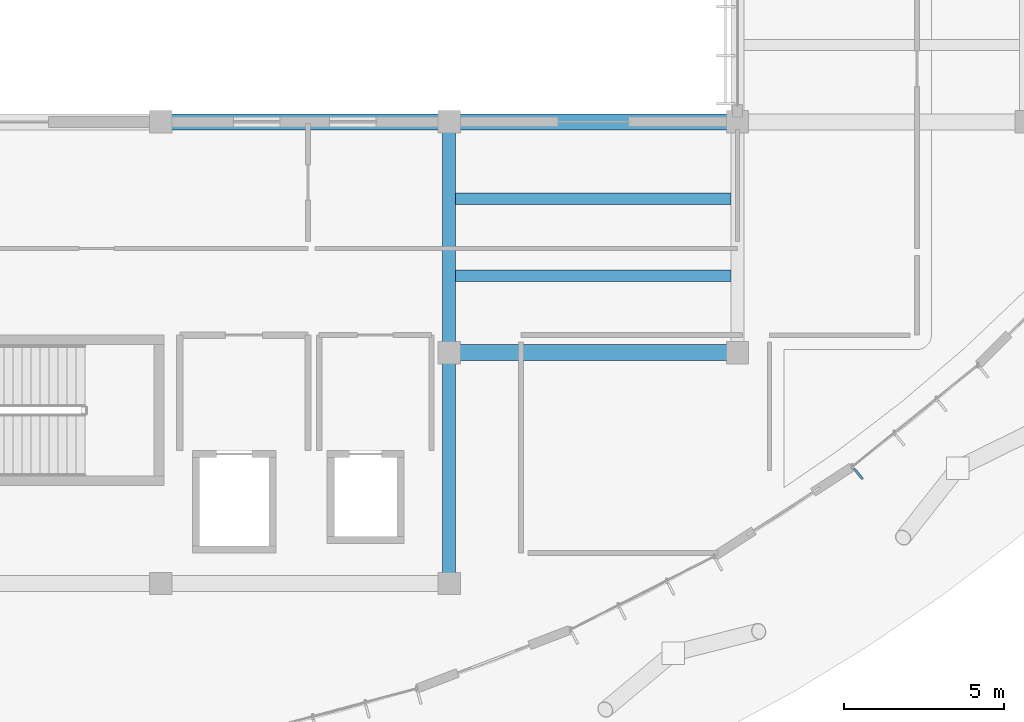
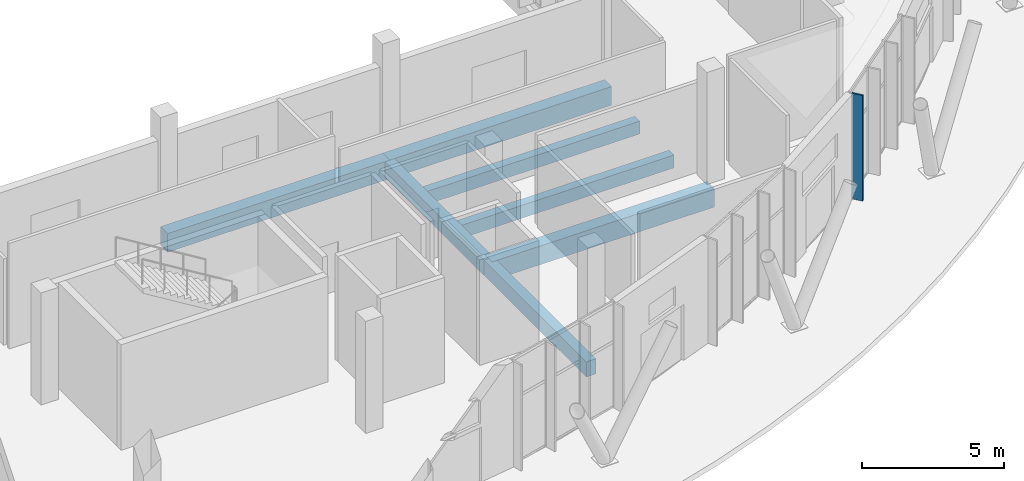
# One storey, part 70 of 151: 7 beams, 1 member, 1 element without a shape of its own.
"""IFC4 building model written with IfcOpenShell, lengths in metres."""

from ifc_helpers import new_model, si_unit, direction, frame, origin, origin_2d, place, context, subcontext, project, spatial, rectangle, extrude, material, material_profile, profile_set, type_object, element, aggregate, save


model = new_model("IFC4")

# Units and contexts
model_context = context("Model", 3, precision=1e-05, world=origin(), true_north=direction((0.0, 1.0)))
body_context = subcontext(model_context, "Body", "Model", "MODEL_VIEW")
ifc_project = project(units=[si_unit("LENGTHUNIT", "METRE"), si_unit("AREAUNIT", "SQUARE_METRE"), si_unit("VOLUMEUNIT", "CUBIC_METRE"), si_unit("PLANEANGLEUNIT", "RADIAN"), si_unit("MASSUNIT", "GRAM", prefix="KILO")], contexts=[model_context])

# Site, building, storey
site_placement = place(None, origin())
site = spatial("IfcSite", under=ifc_project, at=site_placement, CompositionType="ELEMENT")
building_placement = place(site_placement, origin())
building = spatial("IfcBuilding", under=site, at=building_placement, Name="Chiffa Square Polytechnic", CompositionType="ELEMENT")
storey_placement = place(building_placement, origin())
storey = spatial("IfcBuildingStorey", under=building, at=storey_placement, Name="L00", CompositionType="ELEMENT", Elevation=0.0)

# Beams
ifc_material_1 = material(Name="Concrete C35/45", Category="concrete")
ifc_material_profile_1 = material_profile(ifc_material_1, rectangle(XDim=0.39990234375, YDim=0.64990234375, at=origin_2d()), Name="RC 400x650")
ifc_profile_set_1 = profile_set([ifc_material_profile_1], Name="Concrete C35/45")
beam_type_1 = type_object("IfcBeamType", Name="BM-RC-400X650", PredefinedType="BEAM", material=ifc_profile_set_1)
beam_1_placement = place(storey_placement, frame((139.199951171875, 14.39990234375, -0.675048828125), z_axis=(0.0, 1.0, 0.0), x_axis=(-1.0, 0.0, 0.0)))
element("IfcBeam", 1, at=beam_1_placement, inside=storey, type_object=beam_type_1, Name="Primary floor girder BM-V1-L00-Y-1392-0144", PredefinedType="BEAM", context=body_context, shape_type="SweptSolid", body=[
    extrude(rectangle(XDim=0.39990234375, YDim=0.64990234375, at=origin_2d()), origin(), (0.0, 0.0, 1.0), 7.2001953125),
])
beam_2_placement = place(storey_placement, frame((139.199951171875, 21.60009765625, -0.675048828125), z_axis=(0.0, 1.0, 0.0), x_axis=(-1.0, 0.0, 0.0)))
element("IfcBeam", 2, at=beam_2_placement, inside=storey, type_object=beam_type_1, Name="Primary floor girder BM-V1-L00-Y-1392-0216", PredefinedType="BEAM", context=body_context, shape_type="SweptSolid", body=[
    extrude(rectangle(XDim=0.39990234375, YDim=0.64990234375, at=origin_2d()), origin(), (0.0, 0.0, 1.0), 7.199951171875),
])
ifc_material_2 = material(Name="Concrete C40/50", Category="concrete")
ifc_material_profile_2 = material_profile(ifc_material_2, rectangle(XDim=0.5, YDim=0.800048828125, at=origin_2d()), Name="RC 500x800")
ifc_profile_set_2 = profile_set([ifc_material_profile_2], Name="Concrete C40/50")
beam_type_2 = type_object("IfcBeamType", Name="BM-RC-500X800", PredefinedType="BEAM", material=ifc_profile_set_2)
for number, where, z_axis, x_axis, name in (
    (3, (139.199951171875, 21.60009765625, -0.75), (1.0, 0.0, 0.0), (0.0, 1.0, 0.0), "Primary floor girder BM-V1-L00-X-1392-0216"),
    (4, (130.199951171875, 28.800048828125, -0.75), (1.0, 0.0, 0.0), (0.0, 1.0, 0.0), "Primary floor girder BM-V1-L00-X-1302-0288"),
    (5, (139.199951171875, 28.800048828125, -0.75), (1.0, 0.0, 0.0), (0.0, 1.0, 0.0), "Primary floor girder BM-V1-L00-X-1392-0288"),
):
    element("IfcBeam", number, at=place(storey_placement, frame(where, z_axis=z_axis, x_axis=x_axis)), inside=storey, type_object=beam_type_2, Name=name, PredefinedType="BEAM", context=body_context, shape_type="SweptSolid", body=[
        extrude(rectangle(XDim=0.5, YDim=0.800048828125, at=origin_2d()), origin(), (0.0, 0.0, 1.0), 9.0),
    ])

# Curtain wall, member
ifc_material_3 = material(Name="Aluminium EN AW-6060 T66 and glulam shading", Category="wood")
curtain_wall_type = type_object("IfcCurtainWallType", Name="CW-VERT-360X380", PredefinedType="USERDEFINED", material=ifc_material_3)
curtain_wall_placement = place(storey_placement, origin())
curtain_wall = element("IfcCurtainWall", 6, at=curtain_wall_placement, inside=storey, type_object=curtain_wall_type, Name="Curtain wall CW-V1-L00-005", ObjectType="CURTAIN WALL", PredefinedType="USERDEFINED")
ifc_material_4 = material(Name="Glulam GL28h", Category="wood")
ifc_material_profile_3 = material_profile(ifc_material_4, rectangle(XDim=0.070068359375, YDim=0.419921875, at=origin_2d()), Name="GL28h 70x420")
ifc_profile_set_3 = profile_set([ifc_material_profile_3], Name="Glulam GL28h")
member_type = type_object("IfcMemberType", Name="CWM-GL-70X420", PredefinedType="MULLION", material=ifc_profile_set_3)
member_placement = place(storey_placement, frame((151.968994140625, 17.821044921875, -0.010009765625), z_axis=(0.0, 0.0, 1.0), x_axis=(0.777233823584, 0.629211874869, 0.0)))
member = element("IfcMember", 7, at=member_placement, type_object=member_type, Name="Exterior glulam solar fin CW-V1-L00-005-FN00", PredefinedType="MULLION", context=body_context, shape_type="SweptSolid", body=[
    extrude(rectangle(XDim=0.070068359375, YDim=0.419921875, at=origin_2d()), origin(), (0.0, 0.0, 1.0), 4.534912109375),
])
aggregate(curtain_wall, [member])

# Beams
ifc_material_profile_4 = material_profile(ifc_material_1, rectangle(XDim=0.35009765625, YDim=0.550048828125, at=origin_2d()), Name="RC 350x550")
ifc_profile_set_4 = profile_set([ifc_material_profile_4], Name="Concrete C35/45")
beam_type_3 = type_object("IfcBeamType", Name="JST-RC-350X550", PredefinedType="JOIST", material=ifc_profile_set_4)
for number, where, z_axis, x_axis, name in (
    (8, (139.39794921875, 24.0, -0.625), (1.0, 0.0, 0.0), (0.0, 1.0, 0.0), "Secondary floor joist JST-V1-L00-1392-0240"),
    (9, (139.39794921875, 26.39990234375, -0.625), (1.0, 0.0, 0.0), (0.0, 1.0, 0.0), "Secondary floor joist JST-V1-L00-1392-0264"),
):
    element("IfcBeam", number, at=place(storey_placement, frame(where, z_axis=z_axis, x_axis=x_axis)), inside=storey, type_object=beam_type_3, Name=name, PredefinedType="JOIST", context=body_context, shape_type="SweptSolid", body=[
        extrude(rectangle(XDim=0.35009765625, YDim=0.550048828125, at=origin_2d()), origin(), (0.0, 0.0, 1.0), 8.60400390625),
    ])

save(model, "model.ifc")
